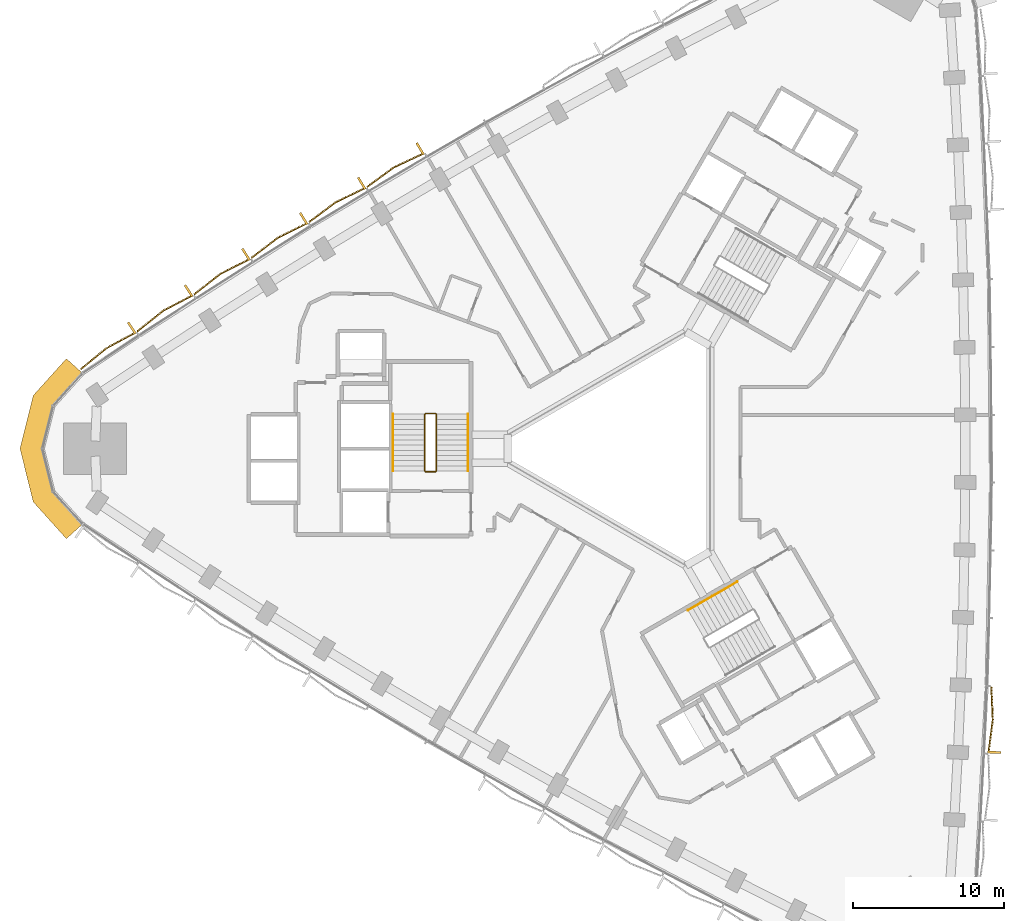
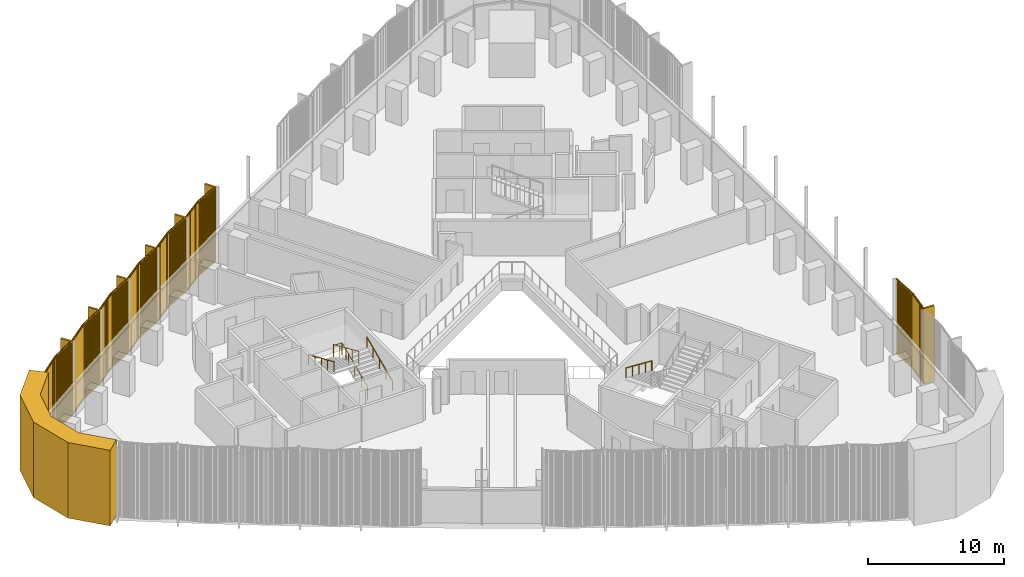
# One storey, part 13 of 15: 8 coverings, 4 railings.
"""IFC4 building model written with IfcOpenShell, lengths in metres."""

import ifcopenshell
import ifcopenshell.guid

model = None  # the IFC model being written
_history = None  # IfcOwnerHistory: only IFC2X3 demands one
_inside = {}  # id of a spatial element -> (the spatial element, [elements in it])
_under = {}  # id of a project, library or spatial element -> (it, [spatial elements below it])
_declared = {}  # id of a project -> (the project, [libraries it declares])
_typed = {}  # id of a type object -> (the type object, [elements of that type])
_made_of = {}  # id of a material, layer set ... -> (it, [elements and type objects made of it])


def new_model(schema):
    """Start an empty IFC model of exactly this schema.

    Asked for "IFC4X3", IfcOpenShell would pick the latest addendum, in which some entities
    have other attributes; the version numbers below select the first issue.
    IFC2X3 requires an IfcOwnerHistory on every rooted entity: one is made here for all.
    """
    global model, _history
    if schema == "IFC4X3":
        model = ifcopenshell.file(schema_version=(4, 3, 0, 0))
    else:
        model = ifcopenshell.file(schema=schema)
    _inside.clear()
    _under.clear()
    _declared.clear()
    _typed.clear()
    _made_of.clear()
    _history = None
    if model.schema == "IFC2X3":
        org = make("IfcOrganization", Name="unknown")
        user = make(
            "IfcPersonAndOrganization",
            ThePerson=make("IfcPerson", FamilyName="unknown"),
            TheOrganization=org,
        )
        app = make(
            "IfcApplication",
            ApplicationDeveloper=org,
            Version="unknown",
            ApplicationFullName="unknown",
            ApplicationIdentifier="unknown",
        )
        _history = make(
            "IfcOwnerHistory",
            OwningUser=user,
            OwningApplication=app,
            ChangeAction="ADDED",
            CreationDate=0,
        )
    return model


def make(cls, **values):
    """One entity of the class cls with the attributes given. An attribute that is None is left unset."""
    return model.create_entity(
        cls, **{name: value for name, value in values.items() if value is not None}
    )


def rooted(cls, **values):
    """An entity with a GlobalId (a new one), such as an element, a storey or a relation."""
    return make(cls, GlobalId=ifcopenshell.guid.new(), OwnerHistory=_history, **values)


def si_unit(unit_type, name, prefix=None):
    """IfcSIUnit, for example si_unit("LENGTHUNIT", "METRE", prefix="MILLI")."""
    return make("IfcSIUnit", UnitType=unit_type, Prefix=prefix, Name=name)


def assignment(units):
    """IfcUnitAssignment: the units of a project."""
    return None if units is None else make("IfcUnitAssignment", Units=units)


def point(xyz):
    """IfcCartesianPoint."""
    return None if xyz is None else make("IfcCartesianPoint", Coordinates=xyz)


def direction(xyz):
    """IfcDirection."""
    return None if xyz is None else make("IfcDirection", DirectionRatios=xyz)


def frame(location, z_axis=None, x_axis=None):
    """IfcAxis2Placement3D, a coordinate frame: its origin and axes. An axis left out is left unset."""
    return make(
        "IfcAxis2Placement3D",
        Location=point(location),
        Axis=direction(z_axis),
        RefDirection=direction(x_axis),
    )


def frame_2d(location, x_axis=None):
    """IfcAxis2Placement2D, a coordinate frame in the plane: its origin and x axis."""
    return make(
        "IfcAxis2Placement2D", Location=point(location), RefDirection=direction(x_axis)
    )


def origin():
    """The frame at (0, 0, 0) with its axes left unset."""
    return frame((0.0, 0.0, 0.0))


def origin_2d():
    """The frame at (0, 0) in the plane with its x axis left unset."""
    return frame_2d((0.0, 0.0))


def place(relative_to, where):
    """IfcLocalPlacement: puts the frame where relative to a parent placement (None: the world)."""
    return make(
        "IfcLocalPlacement", PlacementRelTo=relative_to, RelativePlacement=where
    )


def context(
    kind, dimensions, precision=None, world=None, true_north=None, identifier=None
):
    """IfcGeometricRepresentationContext, for example the 3D "Model" context."""
    return make(
        "IfcGeometricRepresentationContext",
        ContextIdentifier=identifier,
        ContextType=kind,
        CoordinateSpaceDimension=dimensions,
        Precision=precision,
        WorldCoordinateSystem=world,
        TrueNorth=true_north,
    )


def subcontext(parent, identifier, kind, view, scale=None):
    """IfcGeometricRepresentationSubContext, for example "Body" below "Model"."""
    return make(
        "IfcGeometricRepresentationSubContext",
        ContextIdentifier=identifier,
        ContextType=kind,
        ParentContext=parent,
        TargetScale=scale,
        TargetView=view,
    )


def project(units=None, contexts=None):
    """IfcProject with its units and contexts."""
    return rooted(
        "IfcProject",
        Name="project",
        RepresentationContexts=contexts,
        UnitsInContext=assignment(units),
    )


def spatial(cls, under=None, at=None, **own):
    """A site, building, storey or space (cls), placed at a placement, below another one or the project."""
    s = rooted(cls, ObjectPlacement=at, **own)
    if under is not None:
        _under.setdefault(under.id(), (under, []))[1].append(s)
    return s


def polyline(points):
    """IfcPolyline through the points."""
    return make("IfcPolyline", Points=[point(p) for p in points])


def profile(cls, at=None, kind="AREA", **sizes):
    """A parametric profile (cls). Its sizes go by their IFC names, for example OverallWidth=200.0."""
    return make(cls, ProfileType=kind, Position=at, **sizes)


def rectangle(**sizes):
    """IfcRectangleProfileDef."""
    return profile("IfcRectangleProfileDef", **sizes)


def circle(**sizes):
    """IfcCircleProfileDef."""
    return profile("IfcCircleProfileDef", **sizes)


def outline(outer, holes=None, kind="AREA"):
    """IfcArbitraryClosedProfileDef: a profile drawn as a closed curve; with holes, ...WithVoids."""
    if holes is None:
        return make("IfcArbitraryClosedProfileDef", ProfileType=kind, OuterCurve=outer)
    return make(
        "IfcArbitraryProfileDefWithVoids",
        ProfileType=kind,
        OuterCurve=outer,
        InnerCurves=holes,
    )


def extrude(swept, where, along, depth):
    """IfcExtrudedAreaSolid: the profile swept, set in the frame where, extruded along a direction by depth."""
    return make(
        "IfcExtrudedAreaSolid",
        SweptArea=swept,
        Position=where,
        ExtrudedDirection=direction(along),
        Depth=depth,
    )


def shape(context_of_items, identifier, shape_type, items):
    """IfcShapeRepresentation: the items that make up one representation, for example the "Body"."""
    return make(
        "IfcShapeRepresentation",
        ContextOfItems=context_of_items,
        RepresentationIdentifier=identifier,
        RepresentationType=shape_type,
        Items=items,
    )


def source(mapping_origin, context_of_items, identifier, shape_type, items):
    """IfcRepresentationMap: a shape defined once, which mapped items show again and again."""
    return make(
        "IfcRepresentationMap",
        MappingOrigin=mapping_origin,
        MappedRepresentation=shape(context_of_items, identifier, shape_type, items),
    )


def transform(
    local_origin,
    x_axis=None,
    y_axis=None,
    z_axis=None,
    scale=None,
    scale2=None,
    scale3=None,
    uniform=True,
):
    """IfcCartesianTransformationOperator3D, or its non-uniform kind. x_axis, y_axis, z_axis: its Axis1, 2, 3."""
    if uniform:
        return make(
            "IfcCartesianTransformationOperator3D",
            Axis1=direction(x_axis),
            Axis2=direction(y_axis),
            LocalOrigin=point(local_origin),
            Scale=scale,
            Axis3=direction(z_axis),
        )
    return make(
        "IfcCartesianTransformationOperator3DnonUniform",
        Axis1=direction(x_axis),
        Axis2=direction(y_axis),
        LocalOrigin=point(local_origin),
        Scale=scale,
        Axis3=direction(z_axis),
        Scale2=scale2,
        Scale3=scale3,
    )


def mapped(mapping_source, mapping_target):
    """IfcMappedItem: shows the shape of a source again, moved by a transform."""
    return make(
        "IfcMappedItem", MappingSource=mapping_source, MappingTarget=mapping_target
    )


def material(Name=None, Category=None):
    """IfcMaterial."""
    return make("IfcMaterial", Name=Name, Category=Category)


def layer(
    of_material, thickness, ventilated=None, Name=None, Category=None, Priority=None
):
    """IfcMaterialLayer: one layer of a wall or slab, of a material (None: an air gap)."""
    return make(
        "IfcMaterialLayer",
        Material=of_material,
        LayerThickness=thickness,
        IsVentilated=ventilated,
        Name=Name,
        Category=Category,
        Priority=Priority,
    )


def layer_set(layers, Name=None):
    """IfcMaterialLayerSet."""
    return make("IfcMaterialLayerSet", MaterialLayers=layers, LayerSetName=Name)


def made_of(thing, what):
    """Note that an element or type object is made of a material, layer set ...; save() writes the relation."""
    if what is not None:
        _made_of.setdefault(what.id(), (what, []))[1].append(thing)
    return thing


def type_object(cls, material=None, **own):
    """A type object (cls), such as IfcWallType, which elements share."""
    return made_of(rooted(cls, **own), material)


def element(
    cls,
    number,
    at=None,
    inside=None,
    cuts=None,
    type_object=None,
    material=None,
    context=None,
    identifier="Body",
    shape_type=None,
    held_by="IfcProductDefinitionShape",
    body=None,
    shapes=None,
    **own,
):
    """One element of the class cls, such as IfcWall. Its Tag is "e" and its number.

    at: its placement. inside: the storey or other place that contains it. cuts: it is an
    opening in that element (IfcRelVoidsElement). A single representation is given by context,
    identifier, shape_type and body (its items); several are given by shapes. held_by: the class
    of the entity that holds the representations. save() writes the other relations.
    """
    e = rooted(cls, Tag="e%d" % number, ObjectPlacement=at, **own)
    if body is not None:
        shapes = [shape(context, identifier, shape_type, body)]
    if shapes is not None:
        e.Representation = make(held_by, Representations=shapes)
    if inside is not None:
        _inside.setdefault(inside.id(), (inside, []))[1].append(e)
    if cuts is not None:
        rooted(
            "IfcRelVoidsElement", RelatingBuildingElement=cuts, RelatedOpeningElement=e
        )
    if type_object is not None:
        _typed.setdefault(type_object.id(), (type_object, []))[1].append(e)
    return made_of(e, material)


def aggregate(whole, parts):
    """IfcRelAggregates: a whole, such as a stair, and the parts it consists of."""
    return rooted("IfcRelAggregates", RelatingObject=whole, RelatedObjects=parts)


def save(model, path):
    """Write the relations noted so far, then the file.

    IfcRelAggregates (storeys below a building ...), IfcRelContainedInSpatialStructure (elements
    in a storey), IfcRelDefinesByType, IfcRelAssociatesMaterial and IfcRelDeclares: one each for
    every whole, place, type object, material and project.
    """
    for whole, parts in _under.values():
        aggregate(whole, parts)
    for where, things in _inside.values():
        rooted(
            "IfcRelContainedInSpatialStructure",
            RelatedElements=things,
            RelatingStructure=where,
        )
    for kind, things in _typed.values():
        rooted("IfcRelDefinesByType", RelatedObjects=things, RelatingType=kind)
    for what, things in _made_of.values():
        rooted("IfcRelAssociatesMaterial", RelatedObjects=things, RelatingMaterial=what)
    for by, libraries in _declared.values():
        rooted("IfcRelDeclares", RelatingContext=by, RelatedDefinitions=libraries)
    model.write(path)


model = new_model("IFC4")

# Units and contexts
model_context = context("Model", 3, precision=1e-05, world=origin(), true_north=direction((0.0, 1.0)))
body_context = subcontext(model_context, "Body", "Model", "MODEL_VIEW")
ifc_project = project(units=[si_unit("LENGTHUNIT", "METRE"), si_unit("AREAUNIT", "SQUARE_METRE"), si_unit("VOLUMEUNIT", "CUBIC_METRE"), si_unit("PLANEANGLEUNIT", "RADIAN"), si_unit("MASSUNIT", "GRAM", prefix="KILO")], contexts=[model_context])

# Site, building, storey
site_placement = place(None, origin())
site = spatial("IfcSite", under=ifc_project, at=site_placement, CompositionType="ELEMENT")
building_placement = place(site_placement, origin())
building = spatial("IfcBuilding", under=site, at=building_placement, Name="Tamra Quay Hotel Tower", CompositionType="ELEMENT")
storey_placement = place(building_placement, frame((0.0, 0.0, 67.39990234375)))
storey = spatial("IfcBuildingStorey", under=building, at=storey_placement, Name="L15", CompositionType="ELEMENT", Elevation=67.39990234375)

# Covering
ifc_material_1 = material(Name="Precast concrete M60 terracotta-coloured", Category="masonry")
ifc_layer = layer(ifc_material_1, 1.449951171875)
ifc_layer_set = layer_set([ifc_layer], Name="CORNER PIER PANEL")
covering_type_1 = type_object("IfcCoveringType", Name="CORNER PIER PANEL", PredefinedType="CLADDING", material=ifc_layer_set)
covering_1_placement = place(storey_placement, origin())
element("IfcCovering", 1, at=covering_1_placement, inside=storey, type_object=covering_type_1, Name="Corner pier L15.north-west", PredefinedType="CLADDING", context=body_context, shape_type="SweptSolid", body=[
    extrude(outline(polyline([(-36.547607421875, 4.993896484375), (-37.625244140625, 5.964111328125), (-39.8173828125, 3.529541015625), (-40.697265625, 0.0), (-39.8173828125, -3.529541015625), (-37.625244140625, -5.964111328125), (-36.547607421875, -4.993896484375), (-38.497802734375, -2.827880859375), (-39.202880859375, 0.0), (-38.497802734375, 2.827880859375), (-36.547607421875, 4.993896484375)])), origin(), (0.0, 0.0, 1.0), 6.800048828125),
])

# Railings
ifc_material_2 = material(Name="Stair guard 1100")
railing_type_1 = type_object("IfcRailingType", Name="Stair guard 1100", PredefinedType="GUARDRAIL", material=ifc_material_2)
railing_1_placement = place(storey_placement, frame((-13.84130859375, -1.530029296875, 0.0)))
element("IfcRailing", 2, at=railing_1_placement, inside=storey, type_object=railing_type_1, Name="GR", PredefinedType="GUARDRAIL", context=body_context, shape_type="SweptSolid", body=[
    extrude(circle(Radius=0.02392578125, at=origin_2d()), frame((0.0, 0.0, 1.076171875), z_axis=(1.0, 0.0, 0.0), x_axis=(0.0, 1.0, 0.0)), (0.0, 0.0, 1.0), 0.658935546875),
    extrude(circle(Radius=0.02392578125, at=origin_2d()), frame((0.658935546875, 0.0, 1.076171875), z_axis=(0.301511344578, 0.301511344578, 0.904534033733), x_axis=(-0.707106781187, 0.707106781187, 0.0)), (0.0, 0.0, 1.0), 0.166015625),
    extrude(circle(Radius=0.02392578125, at=origin_2d()), frame((0.708984375, 0.050048828125, 1.22607421875), z_axis=(0.0, 0.915795495799, 0.401644880304), x_axis=(-1.0, 0.0, 0.0)), (0.0, 0.0, 1.0), 4.10791015625),
    extrude(circle(Radius=0.02392578125, at=origin_2d()), frame((0.708984375, 3.81201171875, 2.8759765625), z_axis=(-0.708833529934, 0.705375805398, 0.0), x_axis=(-0.705375805398, -0.708833529934, 0.0)), (0.0, 0.0, 1.0), 0.070556640625),
    extrude(circle(Radius=0.02392578125, at=origin_2d()), frame((0.658935546875, 3.86181640625, 2.8759765625), z_axis=(-1.0, 0.0, 0.0), x_axis=(0.0, -1.0, 0.0)), (0.0, 0.0, 1.0), 0.658935546875),
    extrude(circle(Radius=0.02392578125, at=origin_2d()), frame((0.0, 3.86181640625, 2.8759765625), z_axis=(-0.301644814947, -0.300173376825, 0.904934444842), x_axis=(0.705375805398, -0.708833529934, 0.0)), (0.0, 0.0, 1.0), 0.166015625),
    extrude(circle(Radius=0.02392578125, at=origin_2d()), frame((-0.050048828125, 3.81201171875, 3.0263671875), z_axis=(0.0, -0.915795495799, 0.401644880304), x_axis=(1.0, 0.0, 0.0)), (0.0, 0.0, 1.0), 4.10791015625),
    extrude(circle(Radius=0.02099609375, at=origin_2d()), origin(), (0.0, 0.0, 1.0), 1.052001953125),
    extrude(circle(Radius=0.02099609375, at=origin_2d()), frame((0.658935546875, 0.0, 0.0)), (0.0, 0.0, 1.0), 1.052001953125),
    extrude(circle(Radius=0.02099609375, at=origin_2d()), frame((0.708984375, 0.050048828125, 0.150146484375)), (0.0, 0.0, 1.0), 1.052001953125),
    extrude(circle(Radius=0.02099609375, at=origin_2d()), frame((0.708984375, 0.990478515625, 0.5625)), (0.0, 0.0, 1.0), 1.052001953125),
    extrude(circle(Radius=0.02099609375, at=origin_2d()), frame((0.708984375, 1.93115234375, 0.97509765625)), (0.0, 0.0, 1.0), 1.052001953125),
    extrude(circle(Radius=0.02099609375, at=origin_2d()), frame((0.708984375, 2.87158203125, 1.3876953125)), (0.0, 0.0, 1.0), 1.052001953125),
    extrude(circle(Radius=0.02099609375, at=origin_2d()), frame((0.708984375, 3.81201171875, 1.800048828125)), (0.0, 0.0, 1.0), 1.052001953125),
    extrude(circle(Radius=0.02099609375, at=origin_2d()), frame((0.658935546875, 3.86181640625, 1.800048828125)), (0.0, 0.0, 1.0), 1.052001953125),
    extrude(circle(Radius=0.02099609375, at=origin_2d()), frame((0.0, 3.86181640625, 1.800048828125)), (0.0, 0.0, 1.0), 1.052001953125),
    extrude(circle(Radius=0.02099609375, at=origin_2d()), frame((-0.050048828125, 3.81201171875, 1.9501953125)), (0.0, 0.0, 1.0), 1.052001953125),
    extrude(circle(Radius=0.02099609375, at=origin_2d()), frame((-0.050048828125, 2.87158203125, 2.36279296875)), (0.0, 0.0, 1.0), 1.052001953125),
    extrude(circle(Radius=0.02099609375, at=origin_2d()), frame((-0.050048828125, 1.93115234375, 2.775146484375)), (0.0, 0.0, 1.0), 1.052001953125),
    extrude(circle(Radius=0.02099609375, at=origin_2d()), frame((-0.050048828125, 0.990478515625, 3.1875)), (0.0, 0.0, 1.0), 1.052001953125),
    extrude(circle(Radius=0.02099609375, at=origin_2d()), frame((-0.050048828125, 0.050048828125, 3.60009765625)), (0.0, 0.0, 1.0), 1.052001953125),
])
ifc_material_3 = material(Name="Stair handrail 900")
railing_type_2 = type_object("IfcRailingType", Name="Stair handrail 900", PredefinedType="HANDRAIL", material=ifc_material_3)
railing_2_placement = place(storey_placement, frame((-11.0322265625, -1.47998046875, 0.150146484375)))
element("IfcRailing", 3, at=railing_2_placement, inside=storey, type_object=railing_type_2, Name="HR", PredefinedType="HANDRAIL", context=body_context, shape_type="SweptSolid", body=[
    extrude(circle(Radius=0.02392578125, at=origin_2d()), frame((0.0, 0.0, 0.8759765625), z_axis=(0.0, 0.915795495799, 0.401644880304), x_axis=(-1.0, 0.0, 0.0)), (0.0, 0.0, 1.0), 4.10791015625),
    extrude(circle(Radius=0.02099609375, at=origin_2d()), origin(), (0.0, 0.0, 1.0), 0.851806640625),
    extrude(circle(Radius=0.02099609375, at=origin_2d()), frame((0.0, 0.9404296875, 0.41259765625)), (0.0, 0.0, 1.0), 0.851806640625),
    extrude(circle(Radius=0.02099609375, at=origin_2d()), frame((0.0, 1.880859375, 0.824951171875)), (0.0, 0.0, 1.0), 0.851806640625),
    extrude(circle(Radius=0.02099609375, at=origin_2d()), frame((0.0, 2.821533203125, 1.2373046875)), (0.0, 0.0, 1.0), 0.851806640625),
    extrude(circle(Radius=0.02099609375, at=origin_2d()), frame((0.0, 3.761962890625, 1.64990234375)), (0.0, 0.0, 1.0), 0.851806640625),
])
railing_3_placement = place(storey_placement, frame((-15.9912109375, 2.281982421875, 1.9501953125)))
element("IfcRailing", 4, at=railing_3_placement, inside=storey, type_object=railing_type_2, Name="HR", PredefinedType="HANDRAIL", context=body_context, shape_type="SweptSolid", body=[
    extrude(circle(Radius=0.02392578125, at=origin_2d()), frame((0.0, 0.0, 0.8759765625), z_axis=(0.0, -0.915795495799, 0.401644880304), x_axis=(1.0, 0.0, 0.0)), (0.0, 0.0, 1.0), 4.10791015625),
    extrude(circle(Radius=0.02099609375, at=origin_2d()), origin(), (0.0, 0.0, 1.0), 0.851806640625),
    extrude(circle(Radius=0.02099609375, at=origin_2d()), frame((0.0, -0.9404296875, 0.41259765625)), (0.0, 0.0, 1.0), 0.851806640625),
    extrude(circle(Radius=0.02099609375, at=origin_2d()), frame((0.0, -1.880859375, 0.824951171875)), (0.0, 0.0, 1.0), 0.851806640625),
    extrude(circle(Radius=0.02099609375, at=origin_2d()), frame((0.0, -2.821533203125, 1.2373046875)), (0.0, 0.0, 1.0), 0.851806640625),
    extrude(circle(Radius=0.02099609375, at=origin_2d()), frame((0.0, -3.761962890625, 1.64990234375)), (0.0, 0.0, 1.0), 0.851806640625),
])
railing_4_placement = place(storey_placement, frame((6.7978515625, -8.814208984375, 0.150146484375)))
element("IfcRailing", 5, at=railing_4_placement, inside=storey, type_object=railing_type_2, Name="HR", PredefinedType="HANDRAIL", context=body_context, shape_type="SweptSolid", body=[
    extrude(circle(Radius=0.02392578125, at=origin_2d()), frame((0.0, 0.0, 0.8759765625), z_axis=(-0.79310004713, -0.457886897714, 0.401661429744), x_axis=(0.499992114976, -0.866029956157, 0.0)), (0.0, 0.0, 1.0), 4.107666015625),
    extrude(circle(Radius=0.02099609375, at=origin_2d()), origin(), (0.0, 0.0, 1.0), 0.851806640625),
    extrude(circle(Radius=0.02099609375, at=origin_2d()), frame((-0.814453125, -0.47021484375, 0.41259765625)), (0.0, 0.0, 1.0), 0.851806640625),
    extrude(circle(Radius=0.02099609375, at=origin_2d()), frame((-1.62890625, -0.9404296875, 0.824951171875)), (0.0, 0.0, 1.0), 0.851806640625),
    extrude(circle(Radius=0.02099609375, at=origin_2d()), frame((-2.443359375, -1.41064453125, 1.2373046875)), (0.0, 0.0, 1.0), 0.851806640625),
    extrude(circle(Radius=0.02099609375, at=origin_2d()), frame((-3.2578125, -1.880859375, 1.64990234375)), (0.0, 0.0, 1.0), 0.851806640625),
])

# Coverings
ifc_material_4 = material(Name="Terracotta baguette extruded", Category="masonry")
covering_type_2 = type_object("IfcCoveringType", Name="BAGUETTE SCREEN E-V H6800", PredefinedType="USERDEFINED", material=ifc_material_4)
shared_shape_1 = source(origin(), body_context, "Body", "SweptSolid", [
    extrude(rectangle(XDim=2.2109375, YDim=0.06005859375, at=frame_2d((1.10546875, 0.030029296875))), frame((-2.207763671875, -0.057861328125, -0.1201171875), z_axis=(0.0, 0.0, 1.0), x_axis=(0.996194698092, -0.087155742748, 0.0)), (0.0, 0.0, 1.0), 0.1201171875),
    extrude(rectangle(XDim=2.2109375, YDim=0.06005859375, at=frame_2d((1.10546875, 0.030029296875))), frame((-2.207763671875, -0.057861328125, -6.800048828125), z_axis=(0.0, 0.0, 1.0), x_axis=(0.996194698092, -0.087155742748, 0.0)), (0.0, 0.0, 1.0), 0.1201171875),
    extrude(rectangle(XDim=0.070068359375, YDim=0.10009765625, at=frame_2d((0.03515625, 0.050048828125))), frame((-2.1875, -0.13232421875, -6.739990234375)), (0.0, 0.0, 1.0), 6.679931640625),
    extrude(rectangle(XDim=0.070068359375, YDim=0.10009765625, at=frame_2d((0.03515625, 0.050048828125))), frame((-2.08740234375, -0.14111328125, -6.739990234375)), (0.0, 0.0, 1.0), 6.679931640625),
    extrude(rectangle(XDim=0.070068359375, YDim=0.10009765625, at=frame_2d((0.03515625, 0.050048828125))), frame((-1.9873046875, -0.14990234375, -6.739990234375)), (0.0, 0.0, 1.0), 6.679931640625),
    extrude(rectangle(XDim=0.070068359375, YDim=0.10009765625, at=frame_2d((0.03515625, 0.050048828125))), frame((-1.88720703125, -0.15869140625, -6.739990234375)), (0.0, 0.0, 1.0), 6.679931640625),
    extrude(rectangle(XDim=0.070068359375, YDim=0.10009765625, at=frame_2d((0.03515625, 0.050048828125))), frame((-1.787109375, -0.16748046875, -6.739990234375)), (0.0, 0.0, 1.0), 6.679931640625),
    extrude(rectangle(XDim=0.070068359375, YDim=0.10009765625, at=frame_2d((0.03515625, 0.050048828125))), frame((-1.686767578125, -0.17626953125, -6.739990234375)), (0.0, 0.0, 1.0), 6.679931640625),
    extrude(rectangle(XDim=0.070068359375, YDim=0.10009765625, at=frame_2d((0.03515625, 0.050048828125))), frame((-1.586669921875, -0.184814453125, -6.739990234375)), (0.0, 0.0, 1.0), 6.679931640625),
    extrude(rectangle(XDim=0.070068359375, YDim=0.10009765625, at=frame_2d((0.03515625, 0.050048828125))), frame((-1.486572265625, -0.193603515625, -6.739990234375)), (0.0, 0.0, 1.0), 6.679931640625),
    extrude(rectangle(XDim=0.070068359375, YDim=0.10009765625, at=frame_2d((0.03515625, 0.050048828125))), frame((-1.386474609375, -0.202392578125, -6.739990234375)), (0.0, 0.0, 1.0), 6.679931640625),
    extrude(rectangle(XDim=0.070068359375, YDim=0.10009765625, at=frame_2d((0.03515625, 0.050048828125))), frame((-1.286376953125, -0.211181640625, -6.739990234375)), (0.0, 0.0, 1.0), 6.679931640625),
    extrude(rectangle(XDim=0.070068359375, YDim=0.10009765625, at=frame_2d((0.03515625, 0.050048828125))), frame((-1.186279296875, -0.219970703125, -6.739990234375)), (0.0, 0.0, 1.0), 6.679931640625),
    extrude(rectangle(XDim=0.070068359375, YDim=0.10009765625, at=frame_2d((0.03515625, 0.050048828125))), frame((-1.086181640625, -0.228759765625, -6.739990234375)), (0.0, 0.0, 1.0), 6.679931640625),
    extrude(rectangle(XDim=0.070068359375, YDim=0.10009765625, at=frame_2d((0.03515625, 0.050048828125))), frame((-0.986083984375, -0.237548828125, -6.739990234375)), (0.0, 0.0, 1.0), 6.679931640625),
    extrude(rectangle(XDim=0.070068359375, YDim=0.10009765625, at=frame_2d((0.03515625, 0.050048828125))), frame((-0.885986328125, -0.246337890625, -6.739990234375)), (0.0, 0.0, 1.0), 6.679931640625),
    extrude(rectangle(XDim=0.070068359375, YDim=0.10009765625, at=frame_2d((0.03515625, 0.050048828125))), frame((-0.785888671875, -0.2548828125, -6.739990234375)), (0.0, 0.0, 1.0), 6.679931640625),
    extrude(rectangle(XDim=0.070068359375, YDim=0.10009765625, at=frame_2d((0.03515625, 0.050048828125))), frame((-0.685791015625, -0.263671875, -6.739990234375)), (0.0, 0.0, 1.0), 6.679931640625),
    extrude(rectangle(XDim=0.070068359375, YDim=0.10009765625, at=frame_2d((0.03515625, 0.050048828125))), frame((-0.585693359375, -0.2724609375, -6.739990234375)), (0.0, 0.0, 1.0), 6.679931640625),
    extrude(rectangle(XDim=0.070068359375, YDim=0.10009765625, at=frame_2d((0.03515625, 0.050048828125))), frame((-0.485595703125, -0.28125, -6.739990234375)), (0.0, 0.0, 1.0), 6.679931640625),
    extrude(rectangle(XDim=0.070068359375, YDim=0.10009765625, at=frame_2d((0.03515625, 0.050048828125))), frame((-0.385498046875, -0.2900390625, -6.739990234375)), (0.0, 0.0, 1.0), 6.679931640625),
    extrude(rectangle(XDim=0.070068359375, YDim=0.10009765625, at=frame_2d((0.03515625, 0.050048828125))), frame((-0.285400390625, -0.298828125, -6.739990234375)), (0.0, 0.0, 1.0), 6.679931640625),
    extrude(rectangle(XDim=0.070068359375, YDim=0.10009765625, at=frame_2d((0.03515625, 0.050048828125))), frame((-0.18505859375, -0.3076171875, -6.739990234375)), (0.0, 0.0, 1.0), 6.679931640625),
    extrude(rectangle(XDim=0.070068359375, YDim=0.10009765625, at=frame_2d((0.03515625, 0.050048828125))), frame((-0.0849609375, -0.31640625, -6.739990234375)), (0.0, 0.0, 1.0), 6.679931640625),
    extrude(rectangle(XDim=2.2109375, YDim=0.06005859375, at=frame_2d((1.10546875, 0.030029296875))), frame((0.005126953125, -0.25048828125, -0.1201171875), z_axis=(0.0, 0.0, 1.0), x_axis=(0.996194698092, 0.087155742748, 0.0)), (0.0, 0.0, 1.0), 0.1201171875),
    extrude(rectangle(XDim=2.2109375, YDim=0.06005859375, at=frame_2d((1.10546875, 0.030029296875))), frame((0.005126953125, -0.25048828125, -6.800048828125), z_axis=(0.0, 0.0, 1.0), x_axis=(0.996194698092, 0.087155742748, 0.0)), (0.0, 0.0, 1.0), 0.1201171875),
    extrude(rectangle(XDim=0.070068359375, YDim=0.10009765625, at=frame_2d((0.03515625, 0.050048828125))), frame((0.01513671875, -0.31640625, -6.739990234375)), (0.0, 0.0, 1.0), 6.679931640625),
    extrude(rectangle(XDim=0.070068359375, YDim=0.10009765625, at=frame_2d((0.03515625, 0.050048828125))), frame((0.115234375, -0.3076171875, -6.739990234375)), (0.0, 0.0, 1.0), 6.679931640625),
    extrude(rectangle(XDim=0.070068359375, YDim=0.10009765625, at=frame_2d((0.03515625, 0.050048828125))), frame((0.21533203125, -0.298828125, -6.739990234375)), (0.0, 0.0, 1.0), 6.679931640625),
    extrude(rectangle(XDim=0.070068359375, YDim=0.10009765625, at=frame_2d((0.03515625, 0.050048828125))), frame((0.3154296875, -0.2900390625, -6.739990234375)), (0.0, 0.0, 1.0), 6.679931640625),
    extrude(rectangle(XDim=0.070068359375, YDim=0.10009765625, at=frame_2d((0.03515625, 0.050048828125))), frame((0.41552734375, -0.28125, -6.739990234375)), (0.0, 0.0, 1.0), 6.679931640625),
    extrude(rectangle(XDim=0.070068359375, YDim=0.10009765625, at=frame_2d((0.03515625, 0.050048828125))), frame((0.515625, -0.2724609375, -6.739990234375)), (0.0, 0.0, 1.0), 6.679931640625),
    extrude(rectangle(XDim=0.070068359375, YDim=0.10009765625, at=frame_2d((0.03515625, 0.050048828125))), frame((0.61572265625, -0.263671875, -6.739990234375)), (0.0, 0.0, 1.0), 6.679931640625),
    extrude(rectangle(XDim=0.070068359375, YDim=0.10009765625, at=frame_2d((0.03515625, 0.050048828125))), frame((0.7158203125, -0.2548828125, -6.739990234375)), (0.0, 0.0, 1.0), 6.679931640625),
    extrude(rectangle(XDim=0.070068359375, YDim=0.10009765625, at=frame_2d((0.03515625, 0.050048828125))), frame((0.81591796875, -0.246337890625, -6.739990234375)), (0.0, 0.0, 1.0), 6.679931640625),
    extrude(rectangle(XDim=0.070068359375, YDim=0.10009765625, at=frame_2d((0.03515625, 0.050048828125))), frame((0.916015625, -0.237548828125, -6.739990234375)), (0.0, 0.0, 1.0), 6.679931640625),
    extrude(rectangle(XDim=0.070068359375, YDim=0.10009765625, at=frame_2d((0.03515625, 0.050048828125))), frame((1.01611328125, -0.228759765625, -6.739990234375)), (0.0, 0.0, 1.0), 6.679931640625),
    extrude(rectangle(XDim=0.070068359375, YDim=0.10009765625, at=frame_2d((0.03515625, 0.050048828125))), frame((1.1162109375, -0.219970703125, -6.739990234375)), (0.0, 0.0, 1.0), 6.679931640625),
    extrude(rectangle(XDim=0.070068359375, YDim=0.10009765625, at=frame_2d((0.03515625, 0.050048828125))), frame((1.21630859375, -0.211181640625, -6.739990234375)), (0.0, 0.0, 1.0), 6.679931640625),
    extrude(rectangle(XDim=0.070068359375, YDim=0.10009765625, at=frame_2d((0.03515625, 0.050048828125))), frame((1.316650390625, -0.202392578125, -6.739990234375)), (0.0, 0.0, 1.0), 6.679931640625),
    extrude(rectangle(XDim=0.070068359375, YDim=0.10009765625, at=frame_2d((0.03515625, 0.050048828125))), frame((1.416748046875, -0.193603515625, -6.739990234375)), (0.0, 0.0, 1.0), 6.679931640625),
    extrude(rectangle(XDim=0.070068359375, YDim=0.10009765625, at=frame_2d((0.03515625, 0.050048828125))), frame((1.516845703125, -0.184814453125, -6.739990234375)), (0.0, 0.0, 1.0), 6.679931640625),
    extrude(rectangle(XDim=0.070068359375, YDim=0.10009765625, at=frame_2d((0.03515625, 0.050048828125))), frame((1.616943359375, -0.17626953125, -6.739990234375)), (0.0, 0.0, 1.0), 6.679931640625),
    extrude(rectangle(XDim=0.070068359375, YDim=0.10009765625, at=frame_2d((0.03515625, 0.050048828125))), frame((1.717041015625, -0.16748046875, -6.739990234375)), (0.0, 0.0, 1.0), 6.679931640625),
    extrude(rectangle(XDim=0.070068359375, YDim=0.10009765625, at=frame_2d((0.03515625, 0.050048828125))), frame((1.817138671875, -0.15869140625, -6.739990234375)), (0.0, 0.0, 1.0), 6.679931640625),
    extrude(rectangle(XDim=0.070068359375, YDim=0.10009765625, at=frame_2d((0.03515625, 0.050048828125))), frame((1.917236328125, -0.14990234375, -6.739990234375)), (0.0, 0.0, 1.0), 6.679931640625),
    extrude(rectangle(XDim=0.070068359375, YDim=0.10009765625, at=frame_2d((0.03515625, 0.050048828125))), frame((2.017333984375, -0.14111328125, -6.739990234375)), (0.0, 0.0, 1.0), 6.679931640625),
    extrude(rectangle(XDim=0.070068359375, YDim=0.10009765625, at=frame_2d((0.03515625, 0.050048828125))), frame((2.117431640625, -0.13232421875, -6.739990234375)), (0.0, 0.0, 1.0), 6.679931640625),
    extrude(rectangle(XDim=0.14990234375, YDim=0.902099609375, at=frame_2d((0.074951171875, 0.451171875))), frame((-2.202392578125, -0.89990234375, -6.800048828125)), (0.0, 0.0, 1.0), 6.800048828125),
])
covering_2_placement = place(storey_placement, frame((23.46728515625, -17.96044921875, 6.800048828125), z_axis=(0.0, 0.0, 1.0), x_axis=(0.04328585604, 0.999062728094, 0.0)))
element("IfcCovering", 6, at=covering_2_placement, inside=storey, type_object=covering_type_2, Name="Baguette screen L15.E.f02", ObjectType="BAGUETTE SCREEN", PredefinedType="USERDEFINED", context=body_context, shape_type="MappedRepresentation", body=[
    mapped(shared_shape_1, transform((0.0, 0.0, 0.0), scale=1.0)),
])
covering_type_3 = type_object("IfcCoveringType", Name="BAGUETTE SCREEN NW-V H6800", PredefinedType="USERDEFINED", material=ifc_material_4)
shared_shape_2 = source(origin(), body_context, "Body", "SweptSolid", [
    extrude(rectangle(XDim=2.212646484375, YDim=0.06005859375, at=frame_2d((1.1064453125, 0.030029296875))), frame((-2.208251953125, -0.0576171875, -0.1201171875), z_axis=(0.0, 0.0, 1.0), x_axis=(0.995396198367, -0.09584575252, 0.0)), (0.0, 0.0, 1.0), 0.1201171875),
    extrude(rectangle(XDim=2.212646484375, YDim=0.06005859375, at=frame_2d((1.1064453125, 0.030029296875))), frame((-2.208251953125, -0.0576171875, -6.800048828125), z_axis=(0.0, 0.0, 1.0), x_axis=(0.995396198367, -0.09584575252, 0.0)), (0.0, 0.0, 1.0), 0.1201171875),
    extrude(rectangle(XDim=0.070068359375, YDim=0.10009765625, at=frame_2d((0.03515625, 0.050048828125))), frame((-2.1875, -0.1328125, -6.739990234375)), (0.0, 0.0, 1.0), 6.679931640625),
    extrude(rectangle(XDim=0.070068359375, YDim=0.10009765625, at=frame_2d((0.03515625, 0.050048828125))), frame((-2.08740234375, -0.142578125, -6.739990234375)), (0.0, 0.0, 1.0), 6.679931640625),
    extrude(rectangle(XDim=0.070068359375, YDim=0.10009765625, at=frame_2d((0.03515625, 0.050048828125))), frame((-1.9873046875, -0.152099609375, -6.739990234375)), (0.0, 0.0, 1.0), 6.679931640625),
    extrude(rectangle(XDim=0.070068359375, YDim=0.10009765625, at=frame_2d((0.03515625, 0.050048828125))), frame((-1.88720703125, -0.16162109375, -6.739990234375)), (0.0, 0.0, 1.0), 6.679931640625),
    extrude(rectangle(XDim=0.070068359375, YDim=0.10009765625, at=frame_2d((0.03515625, 0.050048828125))), frame((-1.787109375, -0.17138671875, -6.739990234375)), (0.0, 0.0, 1.0), 6.679931640625),
    extrude(rectangle(XDim=0.070068359375, YDim=0.10009765625, at=frame_2d((0.03515625, 0.050048828125))), frame((-1.686767578125, -0.180908203125, -6.739990234375)), (0.0, 0.0, 1.0), 6.679931640625),
    extrude(rectangle(XDim=0.070068359375, YDim=0.10009765625, at=frame_2d((0.03515625, 0.050048828125))), frame((-1.586669921875, -0.190673828125, -6.739990234375)), (0.0, 0.0, 1.0), 6.679931640625),
    extrude(rectangle(XDim=0.070068359375, YDim=0.10009765625, at=frame_2d((0.03515625, 0.050048828125))), frame((-1.486572265625, -0.2001953125, -6.739990234375)), (0.0, 0.0, 1.0), 6.679931640625),
    extrude(rectangle(XDim=0.070068359375, YDim=0.10009765625, at=frame_2d((0.03515625, 0.050048828125))), frame((-1.386474609375, -0.2099609375, -6.739990234375)), (0.0, 0.0, 1.0), 6.679931640625),
    extrude(rectangle(XDim=0.070068359375, YDim=0.10009765625, at=frame_2d((0.03515625, 0.050048828125))), frame((-1.286376953125, -0.219482421875, -6.739990234375)), (0.0, 0.0, 1.0), 6.679931640625),
    extrude(rectangle(XDim=0.070068359375, YDim=0.10009765625, at=frame_2d((0.03515625, 0.050048828125))), frame((-1.186279296875, -0.229248046875, -6.739990234375)), (0.0, 0.0, 1.0), 6.679931640625),
    extrude(rectangle(XDim=0.070068359375, YDim=0.10009765625, at=frame_2d((0.03515625, 0.050048828125))), frame((-1.086181640625, -0.23876953125, -6.739990234375)), (0.0, 0.0, 1.0), 6.679931640625),
    extrude(rectangle(XDim=0.070068359375, YDim=0.10009765625, at=frame_2d((0.03515625, 0.050048828125))), frame((-0.986083984375, -0.24853515625, -6.739990234375)), (0.0, 0.0, 1.0), 6.679931640625),
    extrude(rectangle(XDim=0.070068359375, YDim=0.10009765625, at=frame_2d((0.03515625, 0.050048828125))), frame((-0.885986328125, -0.258056640625, -6.739990234375)), (0.0, 0.0, 1.0), 6.679931640625),
    extrude(rectangle(XDim=0.070068359375, YDim=0.10009765625, at=frame_2d((0.03515625, 0.050048828125))), frame((-0.785888671875, -0.267822265625, -6.739990234375)), (0.0, 0.0, 1.0), 6.679931640625),
    extrude(rectangle(XDim=0.070068359375, YDim=0.10009765625, at=frame_2d((0.03515625, 0.050048828125))), frame((-0.685791015625, -0.27734375, -6.739990234375)), (0.0, 0.0, 1.0), 6.679931640625),
    extrude(rectangle(XDim=0.070068359375, YDim=0.10009765625, at=frame_2d((0.03515625, 0.050048828125))), frame((-0.585693359375, -0.287109375, -6.739990234375)), (0.0, 0.0, 1.0), 6.679931640625),
    extrude(rectangle(XDim=0.070068359375, YDim=0.10009765625, at=frame_2d((0.03515625, 0.050048828125))), frame((-0.485595703125, -0.296630859375, -6.739990234375)), (0.0, 0.0, 1.0), 6.679931640625),
    extrude(rectangle(XDim=0.070068359375, YDim=0.10009765625, at=frame_2d((0.03515625, 0.050048828125))), frame((-0.385498046875, -0.306396484375, -6.739990234375)), (0.0, 0.0, 1.0), 6.679931640625),
    extrude(rectangle(XDim=0.070068359375, YDim=0.10009765625, at=frame_2d((0.03515625, 0.050048828125))), frame((-0.285400390625, -0.31591796875, -6.739990234375)), (0.0, 0.0, 1.0), 6.679931640625),
    extrude(rectangle(XDim=0.070068359375, YDim=0.10009765625, at=frame_2d((0.03515625, 0.050048828125))), frame((-0.18505859375, -0.32568359375, -6.739990234375)), (0.0, 0.0, 1.0), 6.679931640625),
    extrude(rectangle(XDim=0.070068359375, YDim=0.10009765625, at=frame_2d((0.03515625, 0.050048828125))), frame((-0.0849609375, -0.335205078125, -6.739990234375)), (0.0, 0.0, 1.0), 6.679931640625),
    extrude(rectangle(XDim=2.212646484375, YDim=0.06005859375, at=frame_2d((1.1064453125, 0.030029296875))), frame((0.005859375, -0.269775390625, -0.1201171875), z_axis=(0.0, 0.0, 1.0), x_axis=(0.995396198367, 0.09584575252, 0.0)), (0.0, 0.0, 1.0), 0.1201171875),
    extrude(rectangle(XDim=2.212646484375, YDim=0.06005859375, at=frame_2d((1.1064453125, 0.030029296875))), frame((0.005859375, -0.269775390625, -6.800048828125), z_axis=(0.0, 0.0, 1.0), x_axis=(0.995396198367, 0.09584575252, 0.0)), (0.0, 0.0, 1.0), 0.1201171875),
    extrude(rectangle(XDim=0.070068359375, YDim=0.10009765625, at=frame_2d((0.03515625, 0.050048828125))), frame((0.01513671875, -0.335205078125, -6.739990234375)), (0.0, 0.0, 1.0), 6.679931640625),
    extrude(rectangle(XDim=0.070068359375, YDim=0.10009765625, at=frame_2d((0.03515625, 0.050048828125))), frame((0.115234375, -0.32568359375, -6.739990234375)), (0.0, 0.0, 1.0), 6.679931640625),
    extrude(rectangle(XDim=0.070068359375, YDim=0.10009765625, at=frame_2d((0.03515625, 0.050048828125))), frame((0.21533203125, -0.31591796875, -6.739990234375)), (0.0, 0.0, 1.0), 6.679931640625),
    extrude(rectangle(XDim=0.070068359375, YDim=0.10009765625, at=frame_2d((0.03515625, 0.050048828125))), frame((0.3154296875, -0.306396484375, -6.739990234375)), (0.0, 0.0, 1.0), 6.679931640625),
    extrude(rectangle(XDim=0.070068359375, YDim=0.10009765625, at=frame_2d((0.03515625, 0.050048828125))), frame((0.41552734375, -0.296630859375, -6.739990234375)), (0.0, 0.0, 1.0), 6.679931640625),
    extrude(rectangle(XDim=0.070068359375, YDim=0.10009765625, at=frame_2d((0.03515625, 0.050048828125))), frame((0.515625, -0.287109375, -6.739990234375)), (0.0, 0.0, 1.0), 6.679931640625),
    extrude(rectangle(XDim=0.070068359375, YDim=0.10009765625, at=frame_2d((0.03515625, 0.050048828125))), frame((0.61572265625, -0.27734375, -6.739990234375)), (0.0, 0.0, 1.0), 6.679931640625),
    extrude(rectangle(XDim=0.070068359375, YDim=0.10009765625, at=frame_2d((0.03515625, 0.050048828125))), frame((0.7158203125, -0.267822265625, -6.739990234375)), (0.0, 0.0, 1.0), 6.679931640625),
    extrude(rectangle(XDim=0.070068359375, YDim=0.10009765625, at=frame_2d((0.03515625, 0.050048828125))), frame((0.81591796875, -0.258056640625, -6.739990234375)), (0.0, 0.0, 1.0), 6.679931640625),
    extrude(rectangle(XDim=0.070068359375, YDim=0.10009765625, at=frame_2d((0.03515625, 0.050048828125))), frame((0.916015625, -0.24853515625, -6.739990234375)), (0.0, 0.0, 1.0), 6.679931640625),
    extrude(rectangle(XDim=0.070068359375, YDim=0.10009765625, at=frame_2d((0.03515625, 0.050048828125))), frame((1.01611328125, -0.23876953125, -6.739990234375)), (0.0, 0.0, 1.0), 6.679931640625),
    extrude(rectangle(XDim=0.070068359375, YDim=0.10009765625, at=frame_2d((0.03515625, 0.050048828125))), frame((1.1162109375, -0.229248046875, -6.739990234375)), (0.0, 0.0, 1.0), 6.679931640625),
    extrude(rectangle(XDim=0.070068359375, YDim=0.10009765625, at=frame_2d((0.03515625, 0.050048828125))), frame((1.21630859375, -0.219482421875, -6.739990234375)), (0.0, 0.0, 1.0), 6.679931640625),
    extrude(rectangle(XDim=0.070068359375, YDim=0.10009765625, at=frame_2d((0.03515625, 0.050048828125))), frame((1.316650390625, -0.2099609375, -6.739990234375)), (0.0, 0.0, 1.0), 6.679931640625),
    extrude(rectangle(XDim=0.070068359375, YDim=0.10009765625, at=frame_2d((0.03515625, 0.050048828125))), frame((1.416748046875, -0.2001953125, -6.739990234375)), (0.0, 0.0, 1.0), 6.679931640625),
    extrude(rectangle(XDim=0.070068359375, YDim=0.10009765625, at=frame_2d((0.03515625, 0.050048828125))), frame((1.516845703125, -0.190673828125, -6.739990234375)), (0.0, 0.0, 1.0), 6.679931640625),
    extrude(rectangle(XDim=0.070068359375, YDim=0.10009765625, at=frame_2d((0.03515625, 0.050048828125))), frame((1.616943359375, -0.180908203125, -6.739990234375)), (0.0, 0.0, 1.0), 6.679931640625),
    extrude(rectangle(XDim=0.070068359375, YDim=0.10009765625, at=frame_2d((0.03515625, 0.050048828125))), frame((1.717041015625, -0.17138671875, -6.739990234375)), (0.0, 0.0, 1.0), 6.679931640625),
    extrude(rectangle(XDim=0.070068359375, YDim=0.10009765625, at=frame_2d((0.03515625, 0.050048828125))), frame((1.817138671875, -0.16162109375, -6.739990234375)), (0.0, 0.0, 1.0), 6.679931640625),
    extrude(rectangle(XDim=0.070068359375, YDim=0.10009765625, at=frame_2d((0.03515625, 0.050048828125))), frame((1.917236328125, -0.152099609375, -6.739990234375)), (0.0, 0.0, 1.0), 6.679931640625),
    extrude(rectangle(XDim=0.070068359375, YDim=0.10009765625, at=frame_2d((0.03515625, 0.050048828125))), frame((2.017333984375, -0.142578125, -6.739990234375)), (0.0, 0.0, 1.0), 6.679931640625),
    extrude(rectangle(XDim=0.070068359375, YDim=0.10009765625, at=frame_2d((0.03515625, 0.050048828125))), frame((2.117431640625, -0.1328125, -6.739990234375)), (0.0, 0.0, 1.0), 6.679931640625),
    extrude(rectangle(XDim=0.14990234375, YDim=0.902099609375, at=frame_2d((0.074951171875, 0.451171875))), frame((-2.202392578125, -0.89990234375, -6.800048828125)), (0.0, 0.0, 1.0), 6.800048828125),
])
for number, where, z_axis, x_axis, name in (
    (7, (-15.805419921875, 18.3935546875, 6.800048828125), (0.0, 0.0, 1.0), (-0.860556378011, -0.509355200489, 0.0), "Baguette screen L15.NW.f07"),
    (8, (-19.658447265625, 16.084716796875, 6.800048828125), (0.0, 0.0, 1.0), (-0.854993446708, -0.518638801177, 0.0), "Baguette screen L15.NW.f08"),
    (9, (-23.486083984375, 13.734375, 6.800048828125), (0.0, 0.0, 1.0), (-0.849331290722, -0.527860169552, 0.0), "Baguette screen L15.NW.f09"),
    (10, (-27.287841796875, 11.343017578125, 6.800048828125), (0.0, 0.0, 1.0), (-0.843570774484, -0.537018015002, 0.0), "Baguette screen L15.NW.f10"),
    (11, (-31.063720703125, 8.91064453125, 6.800048828125), (0.0, 0.0, 1.0), (-0.837727820256, -0.546087995811, 0.0), "Baguette screen L15.NW.f11"),
    (12, (-34.81298828125, 6.437744140625, 6.800048828125), (0.0, 0.0, 1.0), (-0.831797916254, -0.555078576884, 0.0), "Baguette screen L15.NW.f12"),
):
    element("IfcCovering", number, at=place(storey_placement, frame(where, z_axis=z_axis, x_axis=x_axis)), inside=storey, type_object=covering_type_3, Name=name, ObjectType="BAGUETTE SCREEN", PredefinedType="USERDEFINED", context=body_context, shape_type="MappedRepresentation", body=[
        mapped(shared_shape_2, transform((0.0, 0.0, 0.0), scale=1.0)),
    ])

save(model, "model.ifc")
